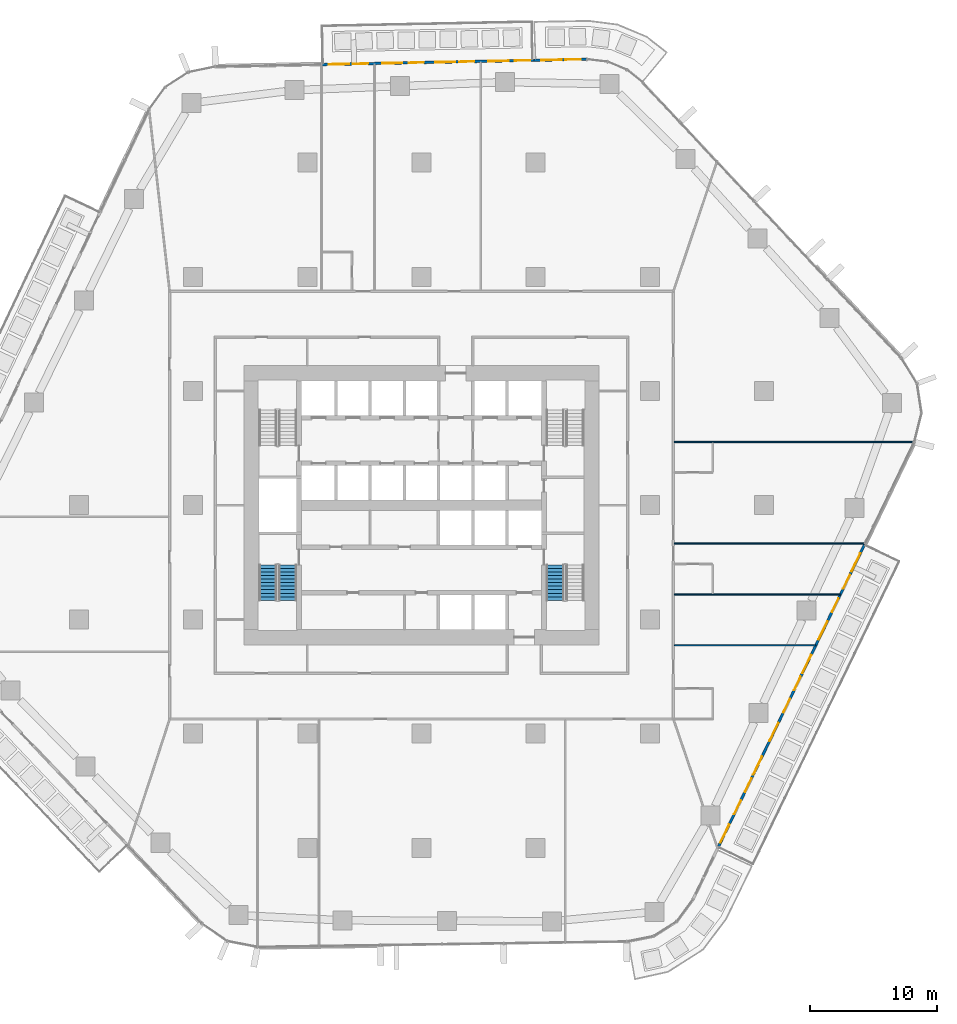
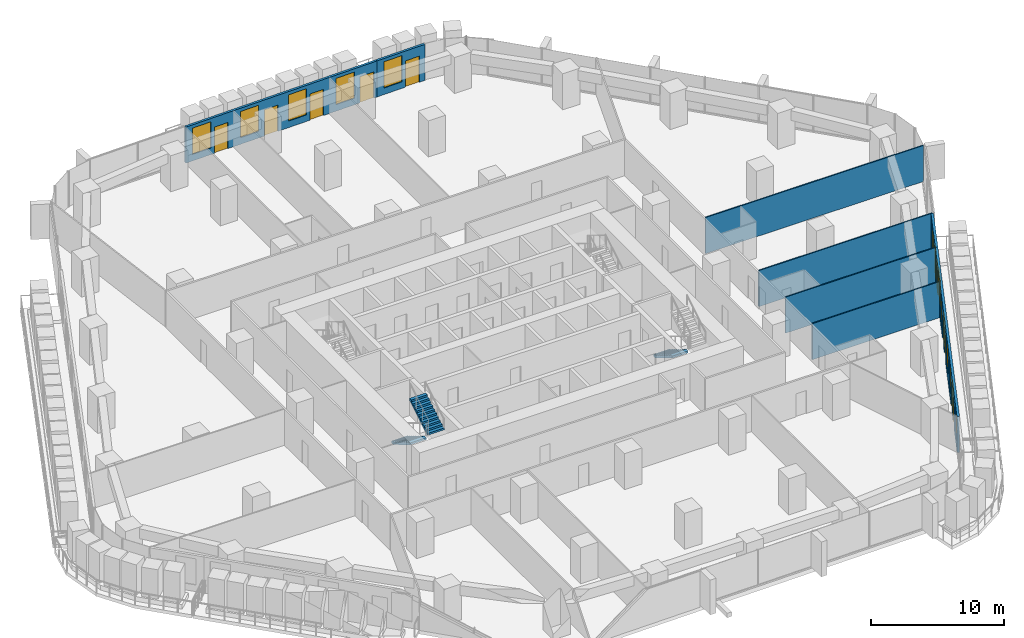
# One storey, part 16 of 24: 11 doors, 11 windows, 7 walls, 3 stair flights, 22 openings, 2 elements without a shape of their own.
"""IFC4 building model written with IfcOpenShell, lengths in metres."""

from ifc_helpers import new_model, si_unit, direction, frame, frame_2d, origin, place, context, subcontext, project, spatial, polyline, rectangle, outline, extrude, material, layer, layer_set, type_object, element, fill, aggregate, save


model = new_model("IFC4")

# Units and contexts
model_context = context("Model", 3, precision=1e-05, world=origin(), true_north=direction((0.0, 1.0)))
body_context = subcontext(model_context, "Body", "Model", "MODEL_VIEW")
ifc_project = project(units=[si_unit("LENGTHUNIT", "METRE"), si_unit("AREAUNIT", "SQUARE_METRE"), si_unit("VOLUMEUNIT", "CUBIC_METRE"), si_unit("PLANEANGLEUNIT", "RADIAN"), si_unit("MASSUNIT", "GRAM", prefix="KILO")], contexts=[model_context])

# Site, building, storey
site_placement = place(None, origin())
site = spatial("IfcSite", under=ifc_project, at=site_placement, CompositionType="ELEMENT")
building_placement = place(site_placement, origin())
building = spatial("IfcBuilding", under=site, at=building_placement, Name="Dongbaek Canopy Tower", CompositionType="ELEMENT")
storey_placement = place(building_placement, frame((0.0, 0.0, 47.699951171875)))
storey = spatial("IfcBuildingStorey", under=building, at=storey_placement, Name="L07", CompositionType="ELEMENT", Elevation=47.699951171875)

# Walls
ifc_material_1 = material(Name="Gypsum board partition, steel stud, 2 x 12.5 mm board", Category="steel")
ifc_layer_1 = layer(ifc_material_1, 0.10009765625)
ifc_layer_set_1 = layer_set([ifc_layer_1], Name="Partition 100 gypsum board")
wall_type_1 = type_object("IfcWallType", Name="Partition 100 gypsum board", PredefinedType="PARTITIONING", material=ifc_layer_set_1)
wall_1_placement = place(storey_placement, frame((19.925048828125, -11.031982421875, 0.0), z_axis=(0.0, 0.0, 1.0), x_axis=(1.0, 0.0, 0.0)))
element("IfcWall", 1, at=wall_1_placement, inside=storey, type_object=wall_type_1, Name="Partition", PredefinedType="PARTITIONING", context=body_context, shape_type="SweptSolid", body=[
    extrude(rectangle(XDim=11.134521484375, YDim=0.10009765625, at=frame_2d((5.5673828125, 0.0))), origin(), (0.0, 0.0, 1.0), 3.300048828125),
])
wall_2_placement = place(storey_placement, frame((19.925048828125, -7.028076171875, 0.0), z_axis=(0.0, 0.0, 1.0), x_axis=(1.0, 0.0, 0.0)))
element("IfcWall", 2, at=wall_2_placement, inside=storey, type_object=wall_type_1, Name="Partition", PredefinedType="PARTITIONING", context=body_context, shape_type="SweptSolid", body=[
    extrude(rectangle(XDim=13.070556640625, YDim=0.10009765625, at=frame_2d((6.53515625, 0.0))), origin(), (0.0, 0.0, 1.0), 3.300048828125),
])
wall_3_placement = place(storey_placement, frame((19.925048828125, -3.02294921875, 0.0), z_axis=(0.0, 0.0, 1.0), x_axis=(1.0, 0.0, 0.0)))
element("IfcWall", 3, at=wall_3_placement, inside=storey, type_object=wall_type_1, Name="Partition", PredefinedType="PARTITIONING", context=body_context, shape_type="SweptSolid", body=[
    extrude(rectangle(XDim=15.00634765625, YDim=0.10009765625, at=frame_2d((7.503173828125, 0.0))), origin(), (0.0, 0.0, 1.0), 3.300048828125),
])
wall_4_placement = place(storey_placement, frame((19.925048828125, 4.97705078125, 0.0), z_axis=(0.0, 0.0, 1.0), x_axis=(1.0, 0.0, 0.0)))
element("IfcWall", 4, at=wall_4_placement, inside=storey, type_object=wall_type_1, Name="Partition", PredefinedType="PARTITIONING", context=body_context, shape_type="SweptSolid", body=[
    extrude(rectangle(XDim=18.874267578125, YDim=0.10009765625, at=frame_2d((9.43701171875, 0.0))), origin(), (0.0, 0.0, 1.0), 3.300048828125),
])

# Wall, openings, doors, windows
ifc_material_2 = material(Name="Aluminium window wall", Category="aluminium")
ifc_layer_2 = layer(ifc_material_2, 0.199951171875)
ifc_layer_set_2 = layer_set([ifc_layer_2], Name="Window wall 200")
wall_type_2 = type_object("IfcWallType", Name="Window wall 200", PredefinedType="SOLIDWALL", material=ifc_layer_set_2)
wall_5_placement = place(storey_placement, frame((8.861572265625, 35.062744140625, 0.0), z_axis=(0.0, 0.0, 1.0), x_axis=(-0.999801543102, -0.01992170701, 0.0)))
wall_5 = element("IfcWall", 5, at=wall_5_placement, inside=storey, type_object=wall_type_2, Name="Window wall L07 1", PredefinedType="SOLIDWALL", context=body_context, shape_type="SweptSolid", body=[
    extrude(rectangle(XDim=16.752685546875, YDim=0.199951171875, at=frame_2d((8.37646484375, 0.0))), origin(), (0.0, 0.0, 1.0), 3.300048828125),
])
opening_1_placement = place(wall_5_placement, frame((2.0, 0.0, 0.60009765625)))
opening_1 = element("IfcOpeningElement", 6, at=opening_1_placement, cuts=wall_5, Name="Opening W1", PredefinedType="OPENING", context=body_context, shape_type="SweptSolid", body=[
    extrude(rectangle(XDim=1.60009765625, YDim=2.39990234375, at=frame_2d((0.800048828125, 1.199951171875))), frame((0.0, 0.10986328125, 0.0), z_axis=(0.0, -1.0, 0.0), x_axis=(1.0, 0.0, 0.0)), (0.0, 0.0, 1.0), 0.219970703125),
])
opening_2_placement = place(wall_5_placement, frame((0.300048828125, 0.0, 0.0)))
opening_2 = element("IfcOpeningElement", 7, at=opening_2_placement, cuts=wall_5, Name="Opening L07-B01", PredefinedType="OPENING", context=body_context, shape_type="SweptSolid", body=[
    extrude(rectangle(XDim=1.199951171875, YDim=2.39990234375, at=frame_2d((0.60009765625, 1.199951171875))), frame((0.0, 0.10986328125, 0.0), z_axis=(0.0, -1.0, 0.0), x_axis=(1.0, 0.0, 0.0)), (0.0, 0.0, 1.0), 0.219970703125),
])
opening_3_placement = place(wall_5_placement, frame((6.188232421875, 0.0, 0.60009765625)))
opening_3 = element("IfcOpeningElement", 8, at=opening_3_placement, cuts=wall_5, Name="Opening W1", PredefinedType="OPENING", context=body_context, shape_type="SweptSolid", body=[
    extrude(rectangle(XDim=1.60009765625, YDim=2.39990234375, at=frame_2d((0.800048828125, 1.199951171875))), frame((0.0, 0.10986328125, 0.0), z_axis=(0.0, -1.0, 0.0), x_axis=(1.0, 0.0, 0.0)), (0.0, 0.0, 1.0), 0.219970703125),
])
opening_4_placement = place(wall_5_placement, frame((4.688232421875, 0.0, 0.0)))
opening_4 = element("IfcOpeningElement", 9, at=opening_4_placement, cuts=wall_5, Name="Opening L07-B02", PredefinedType="OPENING", context=body_context, shape_type="SweptSolid", body=[
    extrude(rectangle(XDim=1.199951171875, YDim=2.39990234375, at=frame_2d((0.60009765625, 1.199951171875))), frame((0.0, 0.10986328125, 0.0), z_axis=(0.0, -1.0, 0.0), x_axis=(1.0, 0.0, 0.0)), (0.0, 0.0, 1.0), 0.219970703125),
])
opening_5_placement = place(wall_5_placement, frame((10.376220703125, 0.0, 0.60009765625)))
opening_5 = element("IfcOpeningElement", 10, at=opening_5_placement, cuts=wall_5, Name="Opening W1", PredefinedType="OPENING", context=body_context, shape_type="SweptSolid", body=[
    extrude(rectangle(XDim=1.60009765625, YDim=2.39990234375, at=frame_2d((0.800048828125, 1.199951171875))), frame((0.0, 0.10986328125, 0.0), z_axis=(0.0, -1.0, 0.0), x_axis=(1.0, 0.0, 0.0)), (0.0, 0.0, 1.0), 0.219970703125),
])
opening_6_placement = place(wall_5_placement, frame((8.67626953125, 0.0, 0.0)))
opening_6 = element("IfcOpeningElement", 11, at=opening_6_placement, cuts=wall_5, Name="Opening L07-B03", PredefinedType="OPENING", context=body_context, shape_type="SweptSolid", body=[
    extrude(rectangle(XDim=1.199951171875, YDim=2.39990234375, at=frame_2d((0.60009765625, 1.199951171875))), frame((0.0, 0.10986328125, 0.0), z_axis=(0.0, -1.0, 0.0), x_axis=(1.0, 0.0, 0.0)), (0.0, 0.0, 1.0), 0.219970703125),
])
opening_7_placement = place(wall_5_placement, frame((14.564453125, 0.0, 0.60009765625)))
opening_7 = element("IfcOpeningElement", 12, at=opening_7_placement, cuts=wall_5, Name="Opening W1", PredefinedType="OPENING", context=body_context, shape_type="SweptSolid", body=[
    extrude(rectangle(XDim=1.60009765625, YDim=2.39990234375, at=frame_2d((0.800048828125, 1.199951171875))), frame((0.0, 0.10986328125, 0.0), z_axis=(0.0, -1.0, 0.0), x_axis=(1.0, 0.0, 0.0)), (0.0, 0.0, 1.0), 0.219970703125),
])
opening_8_placement = place(wall_5_placement, frame((13.064453125, 0.0, 0.0)))
opening_8 = element("IfcOpeningElement", 13, at=opening_8_placement, cuts=wall_5, Name="Opening L07-B04", PredefinedType="OPENING", context=body_context, shape_type="SweptSolid", body=[
    extrude(rectangle(XDim=1.199951171875, YDim=2.39990234375, at=frame_2d((0.60009765625, 1.199951171875))), frame((0.0, 0.10986328125, 0.0), z_axis=(0.0, -1.0, 0.0), x_axis=(1.0, 0.0, 0.0)), (0.0, 0.0, 1.0), 0.219970703125),
])
ifc_material_3 = material(Name="Clear glazing in aluminium frame", Category="aluminium")
door_type = type_object("IfcDoorType", Name="Balcony door BD1 1200 x 2400", OperationType="SLIDING_TO_LEFT", PredefinedType="DOOR", material=ifc_material_3)
door_1_placement = place(opening_2_placement, origin())
door_1 = element("IfcDoor", 14, at=door_1_placement, inside=storey, type_object=door_type, Name="Balcony door L07-B01", OperationType="SLIDING_TO_LEFT", OverallHeight=2.39990234375, OverallWidth=1.199951171875, PredefinedType="DOOR", context=body_context, shape_type="SweptSolid", body=[
    extrude(rectangle(XDim=1.199951171875, YDim=2.39990234375, at=frame_2d((0.60009765625, 1.199951171875))), frame((0.0, 0.02490234375, 0.0), z_axis=(0.0, -1.0, 0.0), x_axis=(1.0, 0.0, 0.0)), (0.0, 0.0, 1.0), 0.050048828125),
])
fill(opening_2, door_1)
door_2_placement = place(opening_4_placement, origin())
door_2 = element("IfcDoor", 15, at=door_2_placement, inside=storey, type_object=door_type, Name="Balcony door L07-B02", OperationType="SLIDING_TO_LEFT", OverallHeight=2.39990234375, OverallWidth=1.199951171875, PredefinedType="DOOR", context=body_context, shape_type="SweptSolid", body=[
    extrude(rectangle(XDim=1.199951171875, YDim=2.39990234375, at=frame_2d((0.60009765625, 1.199951171875))), frame((0.0, 0.02490234375, 0.0), z_axis=(0.0, -1.0, 0.0), x_axis=(1.0, 0.0, 0.0)), (0.0, 0.0, 1.0), 0.050048828125),
])
fill(opening_4, door_2)
door_3_placement = place(opening_6_placement, origin())
door_3 = element("IfcDoor", 16, at=door_3_placement, inside=storey, type_object=door_type, Name="Balcony door L07-B03", OperationType="SLIDING_TO_LEFT", OverallHeight=2.39990234375, OverallWidth=1.199951171875, PredefinedType="DOOR", context=body_context, shape_type="SweptSolid", body=[
    extrude(rectangle(XDim=1.199951171875, YDim=2.39990234375, at=frame_2d((0.60009765625, 1.199951171875))), frame((0.0, 0.02490234375, 0.0), z_axis=(0.0, -1.0, 0.0), x_axis=(1.0, 0.0, 0.0)), (0.0, 0.0, 1.0), 0.050048828125),
])
fill(opening_6, door_3)
door_4_placement = place(opening_8_placement, origin())
door_4 = element("IfcDoor", 17, at=door_4_placement, inside=storey, type_object=door_type, Name="Balcony door L07-B04", OperationType="SLIDING_TO_LEFT", OverallHeight=2.39990234375, OverallWidth=1.199951171875, PredefinedType="DOOR", context=body_context, shape_type="SweptSolid", body=[
    extrude(rectangle(XDim=1.199951171875, YDim=2.39990234375, at=frame_2d((0.60009765625, 1.199951171875))), frame((0.0, 0.02490234375, 0.0), z_axis=(0.0, -1.0, 0.0), x_axis=(1.0, 0.0, 0.0)), (0.0, 0.0, 1.0), 0.050048828125),
])
fill(opening_8, door_4)
ifc_material_4 = material(Name="Clear glazing in aluminium frame", Category="aluminium")
window_type = type_object("IfcWindowType", Name="Window W1 1600 x 2400", PartitioningType="SINGLE_PANEL", PredefinedType="WINDOW", material=ifc_material_4)
window_1_placement = place(opening_1_placement, origin())
window_1 = element("IfcWindow", 18, at=window_1_placement, inside=storey, type_object=window_type, Name="Window L07 1.1", OverallHeight=2.39990234375, OverallWidth=1.60009765625, PartitioningType="SINGLE_PANEL", PredefinedType="WINDOW", context=body_context, shape_type="SweptSolid", body=[
    extrude(rectangle(XDim=1.60009765625, YDim=2.39990234375, at=frame_2d((0.800048828125, 1.199951171875))), frame((0.0, 0.030029296875, 0.0), z_axis=(0.0, -1.0, 0.0), x_axis=(1.0, 0.0, 0.0)), (0.0, 0.0, 1.0), 0.06005859375),
])
fill(opening_1, window_1)
window_2_placement = place(opening_3_placement, origin())
window_2 = element("IfcWindow", 19, at=window_2_placement, inside=storey, type_object=window_type, Name="Window L07 1.2", OverallHeight=2.39990234375, OverallWidth=1.60009765625, PartitioningType="SINGLE_PANEL", PredefinedType="WINDOW", context=body_context, shape_type="SweptSolid", body=[
    extrude(rectangle(XDim=1.60009765625, YDim=2.39990234375, at=frame_2d((0.800048828125, 1.199951171875))), frame((0.0, 0.030029296875, 0.0), z_axis=(0.0, -1.0, 0.0), x_axis=(1.0, 0.0, 0.0)), (0.0, 0.0, 1.0), 0.06005859375),
])
fill(opening_3, window_2)
window_3_placement = place(opening_5_placement, origin())
window_3 = element("IfcWindow", 20, at=window_3_placement, inside=storey, type_object=window_type, Name="Window L07 1.3", OverallHeight=2.39990234375, OverallWidth=1.60009765625, PartitioningType="SINGLE_PANEL", PredefinedType="WINDOW", context=body_context, shape_type="SweptSolid", body=[
    extrude(rectangle(XDim=1.60009765625, YDim=2.39990234375, at=frame_2d((0.800048828125, 1.199951171875))), frame((0.0, 0.030029296875, 0.0), z_axis=(0.0, -1.0, 0.0), x_axis=(1.0, 0.0, 0.0)), (0.0, 0.0, 1.0), 0.06005859375),
])
fill(opening_5, window_3)
window_4_placement = place(opening_7_placement, origin())
window_4 = element("IfcWindow", 21, at=window_4_placement, inside=storey, type_object=window_type, Name="Window L07 1.4", OverallHeight=2.39990234375, OverallWidth=1.60009765625, PartitioningType="SINGLE_PANEL", PredefinedType="WINDOW", context=body_context, shape_type="SweptSolid", body=[
    extrude(rectangle(XDim=1.60009765625, YDim=2.39990234375, at=frame_2d((0.800048828125, 1.199951171875))), frame((0.0, 0.030029296875, 0.0), z_axis=(0.0, -1.0, 0.0), x_axis=(1.0, 0.0, 0.0)), (0.0, 0.0, 1.0), 0.06005859375),
])
fill(opening_7, window_4)

# Wall, openings, door, window
wall_6_placement = place(storey_placement, frame((13.0419921875, 35.14599609375, 0.0), z_axis=(0.0, 0.0, 1.0), x_axis=(-0.999801760637, -0.019910786683, 0.0)))
wall_6 = element("IfcWall", 22, at=wall_6_placement, inside=storey, type_object=wall_type_2, Name="Window wall L07 5", PredefinedType="SOLIDWALL", context=body_context, shape_type="SweptSolid", body=[
    extrude(rectangle(XDim=4.18115234375, YDim=0.199951171875, at=frame_2d((2.090576171875, 0.0))), origin(), (0.0, 0.0, 1.0), 3.300048828125),
])
opening_9_placement = place(wall_6_placement, frame((2.0, 0.0, 0.60009765625)))
opening_9 = element("IfcOpeningElement", 23, at=opening_9_placement, cuts=wall_6, Name="Opening W1", PredefinedType="OPENING", context=body_context, shape_type="SweptSolid", body=[
    extrude(rectangle(XDim=1.60009765625, YDim=2.39990234375, at=frame_2d((0.800048828125, 1.199951171875))), frame((0.0, 0.10986328125, 0.0), z_axis=(0.0, -1.0, 0.0), x_axis=(1.0, 0.0, 0.0)), (0.0, 0.0, 1.0), 0.219970703125),
])
opening_10_placement = place(wall_6_placement, frame((0.5, 0.0, 0.0)))
opening_10 = element("IfcOpeningElement", 24, at=opening_10_placement, cuts=wall_6, Name="Opening L07-B05", PredefinedType="OPENING", context=body_context, shape_type="SweptSolid", body=[
    extrude(rectangle(XDim=1.199951171875, YDim=2.39990234375, at=frame_2d((0.60009765625, 1.199951171875))), frame((0.0, 0.10986328125, 0.0), z_axis=(0.0, -1.0, 0.0), x_axis=(1.0, 0.0, 0.0)), (0.0, 0.0, 1.0), 0.219970703125),
])
door_5_placement = place(opening_10_placement, origin())
door_5 = element("IfcDoor", 25, at=door_5_placement, inside=storey, type_object=door_type, Name="Balcony door L07-B05", OperationType="SLIDING_TO_LEFT", OverallHeight=2.39990234375, OverallWidth=1.199951171875, PredefinedType="DOOR", context=body_context, shape_type="SweptSolid", body=[
    extrude(rectangle(XDim=1.199951171875, YDim=2.39990234375, at=frame_2d((0.60009765625, 1.199951171875))), frame((0.0, 0.02490234375, 0.0), z_axis=(0.0, -1.0, 0.0), x_axis=(1.0, 0.0, 0.0)), (0.0, 0.0, 1.0), 0.050048828125),
])
fill(opening_10, door_5)
window_5_placement = place(opening_9_placement, origin())
window_5 = element("IfcWindow", 26, at=window_5_placement, inside=storey, type_object=window_type, Name="Window L07 5.1", OverallHeight=2.39990234375, OverallWidth=1.60009765625, PartitioningType="SINGLE_PANEL", PredefinedType="WINDOW", context=body_context, shape_type="SweptSolid", body=[
    extrude(rectangle(XDim=1.60009765625, YDim=2.39990234375, at=frame_2d((0.800048828125, 1.199951171875))), frame((0.0, 0.030029296875, 0.0), z_axis=(0.0, -1.0, 0.0), x_axis=(1.0, 0.0, 0.0)), (0.0, 0.0, 1.0), 0.06005859375),
])
fill(opening_9, window_5)

# Wall, openings, doors, windows
wall_7_placement = place(storey_placement, frame((23.337646484375, -27.05126953125, 0.0), z_axis=(0.0, 0.0, 1.0), x_axis=(0.43524886879, 0.900310181114, 0.0)))
wall_7 = element("IfcWall", 27, at=wall_7_placement, inside=storey, type_object=wall_type_2, Name="Window wall L07 4", PredefinedType="SOLIDWALL", context=body_context, shape_type="SweptSolid", body=[
    extrude(rectangle(XDim=26.688720703125, YDim=0.199951171875, at=frame_2d((13.34423828125, 0.0))), origin(), (0.0, 0.0, 1.0), 3.300048828125),
])
opening_11_placement = place(wall_7_placement, frame((0.5, 0.0, 0.60009765625)))
opening_11 = element("IfcOpeningElement", 28, at=opening_11_placement, cuts=wall_7, Name="Opening W1", PredefinedType="OPENING", context=body_context, shape_type="SweptSolid", body=[
    extrude(rectangle(XDim=1.60009765625, YDim=2.39990234375, at=frame_2d((0.800048828125, 1.199951171875))), frame((0.0, 0.10986328125, 0.0), z_axis=(0.0, -1.0, 0.0), x_axis=(1.0, 0.0, 0.0)), (0.0, 0.0, 1.0), 0.219970703125),
])
opening_12_placement = place(wall_7_placement, frame((3.0, 0.0, 0.0)))
opening_12 = element("IfcOpeningElement", 29, at=opening_12_placement, cuts=wall_7, Name="Opening L07-B18", PredefinedType="OPENING", context=body_context, shape_type="SweptSolid", body=[
    extrude(rectangle(XDim=1.199951171875, YDim=2.39990234375, at=frame_2d((0.60009765625, 1.199951171875))), frame((0.0, 0.10986328125, 0.0), z_axis=(0.0, -1.0, 0.0), x_axis=(1.0, 0.0, 0.0)), (0.0, 0.0, 1.0), 0.219970703125),
])
opening_13_placement = place(wall_7_placement, frame((6.447998046875, 0.0, 0.60009765625)))
opening_13 = element("IfcOpeningElement", 30, at=opening_13_placement, cuts=wall_7, Name="Opening W1", PredefinedType="OPENING", context=body_context, shape_type="SweptSolid", body=[
    extrude(rectangle(XDim=1.60009765625, YDim=2.39990234375, at=frame_2d((0.800048828125, 1.199951171875))), frame((0.0, 0.10986328125, 0.0), z_axis=(0.0, -1.0, 0.0), x_axis=(1.0, 0.0, 0.0)), (0.0, 0.0, 1.0), 0.219970703125),
])
opening_14_placement = place(wall_7_placement, frame((4.947998046875, 0.0, 0.0)))
opening_14 = element("IfcOpeningElement", 31, at=opening_14_placement, cuts=wall_7, Name="Opening L07-B19", PredefinedType="OPENING", context=body_context, shape_type="SweptSolid", body=[
    extrude(rectangle(XDim=1.199951171875, YDim=2.39990234375, at=frame_2d((0.60009765625, 1.199951171875))), frame((0.0, 0.10986328125, 0.0), z_axis=(0.0, -1.0, 0.0), x_axis=(1.0, 0.0, 0.0)), (0.0, 0.0, 1.0), 0.219970703125),
])
opening_15_placement = place(wall_7_placement, frame((9.396240234375, 0.0, 0.60009765625)))
opening_15 = element("IfcOpeningElement", 32, at=opening_15_placement, cuts=wall_7, Name="Opening W1", PredefinedType="OPENING", context=body_context, shape_type="SweptSolid", body=[
    extrude(rectangle(XDim=1.60009765625, YDim=2.39990234375, at=frame_2d((0.800048828125, 1.199951171875))), frame((0.0, 0.10986328125, 0.0), z_axis=(0.0, -1.0, 0.0), x_axis=(1.0, 0.0, 0.0)), (0.0, 0.0, 1.0), 0.219970703125),
])
opening_16_placement = place(wall_7_placement, frame((11.896240234375, 0.0, 0.0)))
opening_16 = element("IfcOpeningElement", 33, at=opening_16_placement, cuts=wall_7, Name="Opening L07-B20", PredefinedType="OPENING", context=body_context, shape_type="SweptSolid", body=[
    extrude(rectangle(XDim=1.199951171875, YDim=2.39990234375, at=frame_2d((0.60009765625, 1.199951171875))), frame((0.0, 0.10986328125, 0.0), z_axis=(0.0, -1.0, 0.0), x_axis=(1.0, 0.0, 0.0)), (0.0, 0.0, 1.0), 0.219970703125),
])
opening_17_placement = place(wall_7_placement, frame((15.34423828125, 0.0, 0.60009765625)))
opening_17 = element("IfcOpeningElement", 34, at=opening_17_placement, cuts=wall_7, Name="Opening W1", PredefinedType="OPENING", context=body_context, shape_type="SweptSolid", body=[
    extrude(rectangle(XDim=1.60009765625, YDim=2.39990234375, at=frame_2d((0.800048828125, 1.199951171875))), frame((0.0, 0.10986328125, 0.0), z_axis=(0.0, -1.0, 0.0), x_axis=(1.0, 0.0, 0.0)), (0.0, 0.0, 1.0), 0.219970703125),
])
opening_18_placement = place(wall_7_placement, frame((13.84423828125, 0.0, 0.0)))
opening_18 = element("IfcOpeningElement", 35, at=opening_18_placement, cuts=wall_7, Name="Opening L07-B21", PredefinedType="OPENING", context=body_context, shape_type="SweptSolid", body=[
    extrude(rectangle(XDim=1.199951171875, YDim=2.39990234375, at=frame_2d((0.60009765625, 1.199951171875))), frame((0.0, 0.10986328125, 0.0), z_axis=(0.0, -1.0, 0.0), x_axis=(1.0, 0.0, 0.0)), (0.0, 0.0, 1.0), 0.219970703125),
])
opening_19_placement = place(wall_7_placement, frame((18.29248046875, 0.0, 0.60009765625)))
opening_19 = element("IfcOpeningElement", 36, at=opening_19_placement, cuts=wall_7, Name="Opening W1", PredefinedType="OPENING", context=body_context, shape_type="SweptSolid", body=[
    extrude(rectangle(XDim=1.60009765625, YDim=2.39990234375, at=frame_2d((0.800048828125, 1.199951171875))), frame((0.0, 0.10986328125, 0.0), z_axis=(0.0, -1.0, 0.0), x_axis=(1.0, 0.0, 0.0)), (0.0, 0.0, 1.0), 0.219970703125),
])
opening_20_placement = place(wall_7_placement, frame((20.6923828125, 0.0, 0.0)))
opening_20 = element("IfcOpeningElement", 37, at=opening_20_placement, cuts=wall_7, Name="Opening L07-B22", PredefinedType="OPENING", context=body_context, shape_type="SweptSolid", body=[
    extrude(rectangle(XDim=1.199951171875, YDim=2.39990234375, at=frame_2d((0.60009765625, 1.199951171875))), frame((0.0, 0.10986328125, 0.0), z_axis=(0.0, -1.0, 0.0), x_axis=(1.0, 0.0, 0.0)), (0.0, 0.0, 1.0), 0.219970703125),
])
opening_21_placement = place(wall_7_placement, frame((24.240478515625, 0.0, 0.60009765625)))
opening_21 = element("IfcOpeningElement", 38, at=opening_21_placement, cuts=wall_7, Name="Opening W1", PredefinedType="OPENING", context=body_context, shape_type="SweptSolid", body=[
    extrude(rectangle(XDim=1.60009765625, YDim=2.39990234375, at=frame_2d((0.800048828125, 1.199951171875))), frame((0.0, 0.10986328125, 0.0), z_axis=(0.0, -1.0, 0.0), x_axis=(1.0, 0.0, 0.0)), (0.0, 0.0, 1.0), 0.219970703125),
])
opening_22_placement = place(wall_7_placement, frame((22.740478515625, 0.0, 0.0)))
opening_22 = element("IfcOpeningElement", 39, at=opening_22_placement, cuts=wall_7, Name="Opening L07-B23", PredefinedType="OPENING", context=body_context, shape_type="SweptSolid", body=[
    extrude(rectangle(XDim=1.199951171875, YDim=2.39990234375, at=frame_2d((0.60009765625, 1.199951171875))), frame((0.0, 0.10986328125, 0.0), z_axis=(0.0, -1.0, 0.0), x_axis=(1.0, 0.0, 0.0)), (0.0, 0.0, 1.0), 0.219970703125),
])
door_6_placement = place(opening_12_placement, origin())
door_6 = element("IfcDoor", 40, at=door_6_placement, inside=storey, type_object=door_type, Name="Balcony door L07-B18", OperationType="SLIDING_TO_LEFT", OverallHeight=2.39990234375, OverallWidth=1.199951171875, PredefinedType="DOOR", context=body_context, shape_type="SweptSolid", body=[
    extrude(rectangle(XDim=1.199951171875, YDim=2.39990234375, at=frame_2d((0.60009765625, 1.199951171875))), frame((0.0, 0.02490234375, 0.0), z_axis=(0.0, -1.0, 0.0), x_axis=(1.0, 0.0, 0.0)), (0.0, 0.0, 1.0), 0.050048828125),
])
fill(opening_12, door_6)
door_7_placement = place(opening_14_placement, origin())
door_7 = element("IfcDoor", 41, at=door_7_placement, inside=storey, type_object=door_type, Name="Balcony door L07-B19", OperationType="SLIDING_TO_LEFT", OverallHeight=2.39990234375, OverallWidth=1.199951171875, PredefinedType="DOOR", context=body_context, shape_type="SweptSolid", body=[
    extrude(rectangle(XDim=1.199951171875, YDim=2.39990234375, at=frame_2d((0.60009765625, 1.199951171875))), frame((0.0, 0.02490234375, 0.0), z_axis=(0.0, -1.0, 0.0), x_axis=(1.0, 0.0, 0.0)), (0.0, 0.0, 1.0), 0.050048828125),
])
fill(opening_14, door_7)
door_8_placement = place(opening_16_placement, origin())
door_8 = element("IfcDoor", 42, at=door_8_placement, inside=storey, type_object=door_type, Name="Balcony door L07-B20", OperationType="SLIDING_TO_LEFT", OverallHeight=2.39990234375, OverallWidth=1.199951171875, PredefinedType="DOOR", context=body_context, shape_type="SweptSolid", body=[
    extrude(rectangle(XDim=1.199951171875, YDim=2.39990234375, at=frame_2d((0.60009765625, 1.199951171875))), frame((0.0, 0.02490234375, 0.0), z_axis=(0.0, -1.0, 0.0), x_axis=(1.0, 0.0, 0.0)), (0.0, 0.0, 1.0), 0.050048828125),
])
fill(opening_16, door_8)
door_9_placement = place(opening_18_placement, origin())
door_9 = element("IfcDoor", 43, at=door_9_placement, inside=storey, type_object=door_type, Name="Balcony door L07-B21", OperationType="SLIDING_TO_LEFT", OverallHeight=2.39990234375, OverallWidth=1.199951171875, PredefinedType="DOOR", context=body_context, shape_type="SweptSolid", body=[
    extrude(rectangle(XDim=1.199951171875, YDim=2.39990234375, at=frame_2d((0.60009765625, 1.199951171875))), frame((0.0, 0.02490234375, 0.0), z_axis=(0.0, -1.0, 0.0), x_axis=(1.0, 0.0, 0.0)), (0.0, 0.0, 1.0), 0.050048828125),
])
fill(opening_18, door_9)
door_10_placement = place(opening_20_placement, origin())
door_10 = element("IfcDoor", 44, at=door_10_placement, inside=storey, type_object=door_type, Name="Balcony door L07-B22", OperationType="SLIDING_TO_LEFT", OverallHeight=2.39990234375, OverallWidth=1.199951171875, PredefinedType="DOOR", context=body_context, shape_type="SweptSolid", body=[
    extrude(rectangle(XDim=1.199951171875, YDim=2.39990234375, at=frame_2d((0.60009765625, 1.199951171875))), frame((0.0, 0.02490234375, 0.0), z_axis=(0.0, -1.0, 0.0), x_axis=(1.0, 0.0, 0.0)), (0.0, 0.0, 1.0), 0.050048828125),
])
fill(opening_20, door_10)
door_11_placement = place(opening_22_placement, origin())
door_11 = element("IfcDoor", 45, at=door_11_placement, inside=storey, type_object=door_type, Name="Balcony door L07-B23", OperationType="SLIDING_TO_LEFT", OverallHeight=2.39990234375, OverallWidth=1.199951171875, PredefinedType="DOOR", context=body_context, shape_type="SweptSolid", body=[
    extrude(rectangle(XDim=1.199951171875, YDim=2.39990234375, at=frame_2d((0.60009765625, 1.199951171875))), frame((0.0, 0.02490234375, 0.0), z_axis=(0.0, -1.0, 0.0), x_axis=(1.0, 0.0, 0.0)), (0.0, 0.0, 1.0), 0.050048828125),
])
fill(opening_22, door_11)
window_6_placement = place(opening_11_placement, origin())
window_6 = element("IfcWindow", 46, at=window_6_placement, inside=storey, type_object=window_type, Name="Window L07 4.1", OverallHeight=2.39990234375, OverallWidth=1.60009765625, PartitioningType="SINGLE_PANEL", PredefinedType="WINDOW", context=body_context, shape_type="SweptSolid", body=[
    extrude(rectangle(XDim=1.60009765625, YDim=2.39990234375, at=frame_2d((0.800048828125, 1.199951171875))), frame((0.0, 0.030029296875, 0.0), z_axis=(0.0, -1.0, 0.0), x_axis=(1.0, 0.0, 0.0)), (0.0, 0.0, 1.0), 0.06005859375),
])
fill(opening_11, window_6)
window_7_placement = place(opening_13_placement, origin())
window_7 = element("IfcWindow", 47, at=window_7_placement, inside=storey, type_object=window_type, Name="Window L07 4.2", OverallHeight=2.39990234375, OverallWidth=1.60009765625, PartitioningType="SINGLE_PANEL", PredefinedType="WINDOW", context=body_context, shape_type="SweptSolid", body=[
    extrude(rectangle(XDim=1.60009765625, YDim=2.39990234375, at=frame_2d((0.800048828125, 1.199951171875))), frame((0.0, 0.030029296875, 0.0), z_axis=(0.0, -1.0, 0.0), x_axis=(1.0, 0.0, 0.0)), (0.0, 0.0, 1.0), 0.06005859375),
])
fill(opening_13, window_7)
window_8_placement = place(opening_15_placement, origin())
window_8 = element("IfcWindow", 48, at=window_8_placement, inside=storey, type_object=window_type, Name="Window L07 4.3", OverallHeight=2.39990234375, OverallWidth=1.60009765625, PartitioningType="SINGLE_PANEL", PredefinedType="WINDOW", context=body_context, shape_type="SweptSolid", body=[
    extrude(rectangle(XDim=1.60009765625, YDim=2.39990234375, at=frame_2d((0.800048828125, 1.199951171875))), frame((0.0, 0.030029296875, 0.0), z_axis=(0.0, -1.0, 0.0), x_axis=(1.0, 0.0, 0.0)), (0.0, 0.0, 1.0), 0.06005859375),
])
fill(opening_15, window_8)
window_9_placement = place(opening_17_placement, origin())
window_9 = element("IfcWindow", 49, at=window_9_placement, inside=storey, type_object=window_type, Name="Window L07 4.4", OverallHeight=2.39990234375, OverallWidth=1.60009765625, PartitioningType="SINGLE_PANEL", PredefinedType="WINDOW", context=body_context, shape_type="SweptSolid", body=[
    extrude(rectangle(XDim=1.60009765625, YDim=2.39990234375, at=frame_2d((0.800048828125, 1.199951171875))), frame((0.0, 0.030029296875, 0.0), z_axis=(0.0, -1.0, 0.0), x_axis=(1.0, 0.0, 0.0)), (0.0, 0.0, 1.0), 0.06005859375),
])
fill(opening_17, window_9)
window_10_placement = place(opening_19_placement, origin())
window_10 = element("IfcWindow", 50, at=window_10_placement, inside=storey, type_object=window_type, Name="Window L07 4.5", OverallHeight=2.39990234375, OverallWidth=1.60009765625, PartitioningType="SINGLE_PANEL", PredefinedType="WINDOW", context=body_context, shape_type="SweptSolid", body=[
    extrude(rectangle(XDim=1.60009765625, YDim=2.39990234375, at=frame_2d((0.800048828125, 1.199951171875))), frame((0.0, 0.030029296875, 0.0), z_axis=(0.0, -1.0, 0.0), x_axis=(1.0, 0.0, 0.0)), (0.0, 0.0, 1.0), 0.06005859375),
])
fill(opening_19, window_10)
window_11_placement = place(opening_21_placement, origin())
window_11 = element("IfcWindow", 51, at=window_11_placement, inside=storey, type_object=window_type, Name="Window L07 4.6", OverallHeight=2.39990234375, OverallWidth=1.60009765625, PartitioningType="SINGLE_PANEL", PredefinedType="WINDOW", context=body_context, shape_type="SweptSolid", body=[
    extrude(rectangle(XDim=1.60009765625, YDim=2.39990234375, at=frame_2d((0.800048828125, 1.199951171875))), frame((0.0, 0.030029296875, 0.0), z_axis=(0.0, -1.0, 0.0), x_axis=(1.0, 0.0, 0.0)), (0.0, 0.0, 1.0), 0.06005859375),
])
fill(opening_21, window_11)

# Stair, stair flight
ifc_material_5 = material(Name="Concrete C40/50", Category="concrete")
stair_type = type_object("IfcStairType", Name="Core exit stair", PredefinedType="HALF_TURN_STAIR", material=ifc_material_5)
stair_1_placement = place(storey_placement, origin())
stair_1 = element("IfcStair", 52, at=stair_1_placement, inside=storey, type_object=stair_type, Name="L07 exit stair B", PredefinedType="HALF_TURN_STAIR")
ifc_material_6 = material(Name="Concrete C40/50", Category="concrete")
ifc_layer_3 = layer(ifc_material_6, 0.14990234375)
ifc_layer_set_3 = layer_set([ifc_layer_3], Name="Core stair flight 150 waist")
stair_flight_type = type_object("IfcStairFlightType", Name="Core stair flight 150 waist", PredefinedType="STRAIGHT", material=ifc_layer_set_3)
stair_flight_1_placement = place(storey_placement, frame((10.550048828125, -4.699951171875, 0.0), z_axis=(0.0, 0.0, 1.0), x_axis=(0.0, -1.0, 0.0)))
stair_flight_1 = element("IfcStairFlight", 53, at=stair_flight_1_placement, type_object=stair_flight_type, Name="ST-B flight 1", NumberOfRisers=11, NumberOfTreads=10, PredefinedType="STRAIGHT", RiserHeight=0.168181818, TreadLength=0.28, context=body_context, shape_type="SweptSolid", body=[
    extrude(outline(polyline([(0.0, 0.0), (0.0, 0.168212890625), (0.280029296875, 0.168212890625), (0.280029296875, 0.33642578125), (0.56005859375, 0.33642578125), (0.56005859375, 0.504638671875), (0.840087890625, 0.504638671875), (0.840087890625, 0.672607421875), (1.1201171875, 0.672607421875), (1.1201171875, 0.8408203125), (1.39990234375, 0.8408203125), (1.39990234375, 1.009033203125), (1.679931640625, 1.009033203125), (1.679931640625, 1.17724609375), (1.9599609375, 1.17724609375), (1.9599609375, 1.345458984375), (2.239990234375, 1.345458984375), (2.239990234375, 1.513671875), (2.52001953125, 1.513671875), (2.52001953125, 1.681884765625), (2.800048828125, 1.681884765625), (2.800048828125, 1.85009765625), (2.800048828125, 1.5068359375), (0.291015625, 0.0), (0.0, 0.0)])), frame((0.0, 0.699951171875, 0.0), z_axis=(0.0, -1.0, 0.0), x_axis=(1.0, 0.0, 0.0)), (0.0, 0.0, 1.0), 1.39990234375),
])
aggregate(stair_1, [stair_flight_1])

# Stair, stair flights
stair_2_placement = place(storey_placement, origin())
stair_2 = element("IfcStair", 54, at=stair_2_placement, inside=storey, type_object=stair_type, Name="L07 exit stair D", PredefinedType="HALF_TURN_STAIR")
stair_flight_2_placement = place(storey_placement, frame((-12.10009765625, -4.699951171875, 0.0), z_axis=(0.0, 0.0, 1.0), x_axis=(0.0, -1.0, 0.0)))
stair_flight_2 = element("IfcStairFlight", 55, at=stair_flight_2_placement, type_object=stair_flight_type, Name="ST-D flight 1", NumberOfRisers=11, NumberOfTreads=10, PredefinedType="STRAIGHT", RiserHeight=0.168181818, TreadLength=0.28, context=body_context, shape_type="SweptSolid", body=[
    extrude(outline(polyline([(0.0, 0.0), (0.0, 0.168212890625), (0.280029296875, 0.168212890625), (0.280029296875, 0.33642578125), (0.56005859375, 0.33642578125), (0.56005859375, 0.504638671875), (0.840087890625, 0.504638671875), (0.840087890625, 0.672607421875), (1.1201171875, 0.672607421875), (1.1201171875, 0.8408203125), (1.39990234375, 0.8408203125), (1.39990234375, 1.009033203125), (1.679931640625, 1.009033203125), (1.679931640625, 1.17724609375), (1.9599609375, 1.17724609375), (1.9599609375, 1.345458984375), (2.239990234375, 1.345458984375), (2.239990234375, 1.513671875), (2.52001953125, 1.513671875), (2.52001953125, 1.681884765625), (2.800048828125, 1.681884765625), (2.800048828125, 1.85009765625), (2.800048828125, 1.5068359375), (0.291015625, 0.0), (0.0, 0.0)])), frame((0.0, 0.699951171875, 0.0), z_axis=(0.0, -1.0, 0.0), x_axis=(1.0, 0.0, 0.0)), (0.0, 0.0, 1.0), 1.39990234375),
])
stair_flight_3_placement = place(storey_placement, frame((-10.550048828125, -7.5, 1.85009765625), z_axis=(0.0, 0.0, 1.0), x_axis=(0.0, 1.0, 0.0)))
stair_flight_3 = element("IfcStairFlight", 56, at=stair_flight_3_placement, type_object=stair_flight_type, Name="ST-D flight 2", NumberOfRisers=11, NumberOfTreads=10, PredefinedType="STRAIGHT", RiserHeight=0.168181818, TreadLength=0.28, context=body_context, shape_type="SweptSolid", body=[
    extrude(outline(polyline([(0.0, 0.0), (0.0, 0.168212890625), (0.280029296875, 0.168212890625), (0.280029296875, 0.33642578125), (0.56005859375, 0.33642578125), (0.56005859375, 0.504638671875), (0.840087890625, 0.504638671875), (0.840087890625, 0.672607421875), (1.1201171875, 0.672607421875), (1.1201171875, 0.8408203125), (1.39990234375, 0.8408203125), (1.39990234375, 1.009033203125), (1.679931640625, 1.009033203125), (1.679931640625, 1.17724609375), (1.9599609375, 1.17724609375), (1.9599609375, 1.345458984375), (2.239990234375, 1.345458984375), (2.239990234375, 1.513671875), (2.52001953125, 1.513671875), (2.52001953125, 1.681884765625), (2.800048828125, 1.681884765625), (2.800048828125, 1.85009765625), (2.800048828125, 1.5068359375), (0.291015625, 0.0), (0.0, 0.0)])), frame((0.0, 0.699951171875, 0.0), z_axis=(0.0, -1.0, 0.0), x_axis=(1.0, 0.0, 0.0)), (0.0, 0.0, 1.0), 1.39990234375),
])
aggregate(stair_2, [stair_flight_2, stair_flight_3])

save(model, "model.ifc")
